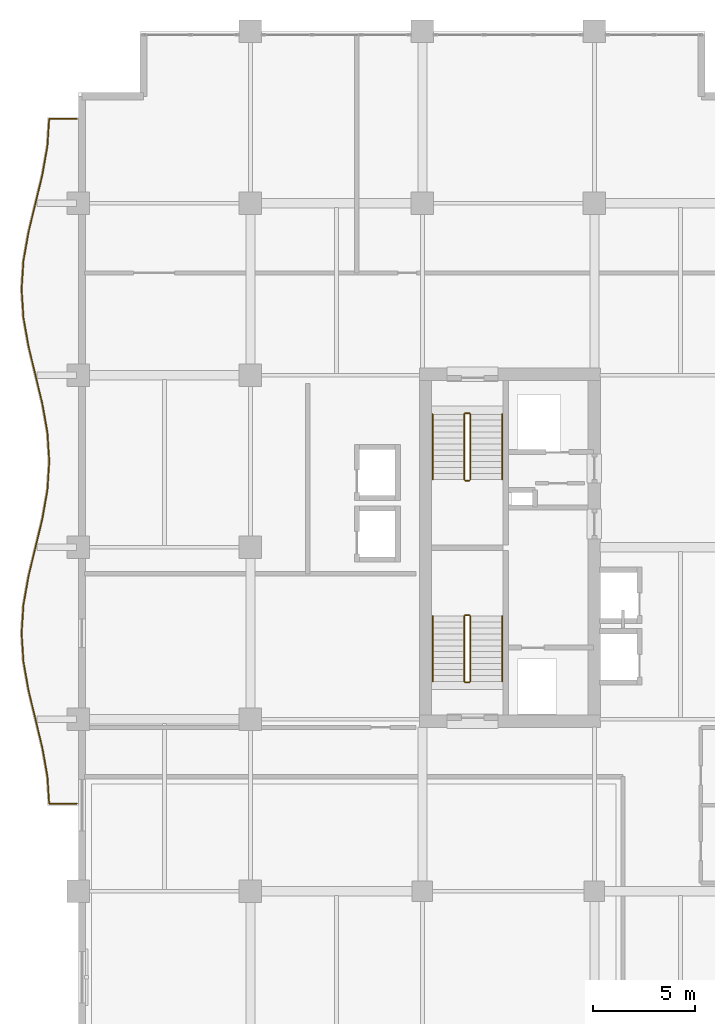
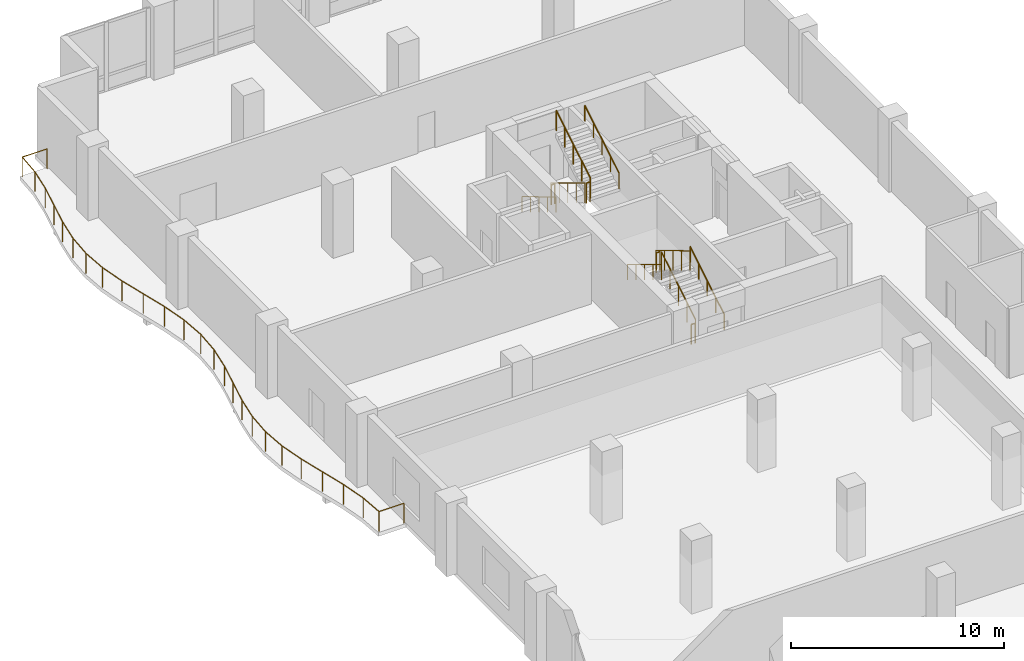
# One storey, part 21 of 22: 13 railings.
"""IFC4 building model written with IfcOpenShell, lengths in metres."""

from ifc_helpers import new_model, si_unit, direction, frame, origin, origin_2d, place, context, subcontext, project, spatial, circle, extrude, material, type_object, element, save


model = new_model("IFC4")

# Units and contexts
model_context = context("Model", 3, precision=1e-05, world=origin(), true_north=direction((0.0, 1.0)))
body_context = subcontext(model_context, "Body", "Model", "MODEL_VIEW")
ifc_project = project(units=[si_unit("LENGTHUNIT", "METRE"), si_unit("AREAUNIT", "SQUARE_METRE"), si_unit("VOLUMEUNIT", "CUBIC_METRE"), si_unit("PLANEANGLEUNIT", "RADIAN"), si_unit("MASSUNIT", "GRAM", prefix="KILO")], contexts=[model_context])

# Site, building, storey
site_placement = place(None, origin())
site = spatial("IfcSite", under=ifc_project, at=site_placement, CompositionType="ELEMENT")
building_placement = place(site_placement, origin())
building = spatial("IfcBuilding", under=site, at=building_placement, Name="Koriwani Terraces Tower", CompositionType="ELEMENT")
storey_placement = place(building_placement, frame((0.0, 0.0, 219.800048828125)))
storey = spatial("IfcBuildingStorey", under=building, at=storey_placement, Name="L54", CompositionType="ELEMENT", Elevation=219.800048828125)

# Railings
ifc_material = material(Name="Steel ASTM A572 Grade 50", Category="steel")
railing_type_1 = type_object("IfcRailingType", Name="GUARD_BALUSTRADE_1150", PredefinedType="BALUSTRADE", material=ifc_material)
railing_1_placement = place(storey_placement, frame((-0.080078125, 37.8798828125, 0.0)))
element("IfcRailing", 1, at=railing_1_placement, inside=storey, type_object=railing_type_1, Name="L54 Balcony Perimeter Safety Balustrade (W)", PredefinedType="BALUSTRADE", context=body_context, shape_type="SweptSolid", body=[
    extrude(circle(Radius=0.02392578125, at=origin_2d()), frame((0.0, 0.0, 1.1259765625), z_axis=(-1.0, 0.0, 0.0), x_axis=(0.0, -1.0, 0.0)), (0.0, 0.0, 1.0), 1.344970703125),
    extrude(circle(Radius=0.02392578125, at=origin_2d()), frame((-1.344970703125, 0.0, 1.1259765625), z_axis=(-0.064500006011, 0.997917706639, 0.0), x_axis=(-0.997917706639, -0.064500006011, 0.0)), (0.0, 0.0, 1.0), 1.332275390625),
    extrude(circle(Radius=0.02392578125, at=origin_2d()), frame((-1.430908203125, 1.32958984375, 1.1259765625), z_axis=(-0.173814583381, 0.984778396698, 0.0), x_axis=(-0.984778396698, -0.173814583381, 0.0)), (0.0, 0.0, 1.0), 1.428466796875),
    extrude(circle(Radius=0.02392578125, at=origin_2d()), frame((-1.67919921875, 2.736328125, 1.1259765625), z_axis=(-0.234289744186, 0.972166814785, 0.0), x_axis=(-0.972166814785, -0.234289744186, 0.0)), (0.0, 0.0, 1.0), 2.880126953125),
    extrude(circle(Radius=0.02392578125, at=origin_2d()), frame((-2.35400390625, 5.536376953125, 1.1259765625), z_axis=(-0.173932985997, 0.984757491153, 0.0), x_axis=(-0.984757491153, -0.173932985997, 0.0)), (0.0, 0.0, 1.0), 1.414794921875),
    extrude(circle(Radius=0.02392578125, at=origin_2d()), frame((-2.60009765625, 6.9296875, 1.1259765625), z_axis=(-0.064309099225, 0.997930027485, 0.0), x_axis=(-0.997930027485, -0.064309099225, 0.0)), (0.0, 0.0, 1.0), 1.393310546875),
    extrude(circle(Radius=0.02392578125, at=origin_2d()), frame((-2.689697265625, 8.320068359375, 1.1259765625), z_axis=(0.064309099225, 0.997930027485, 0.0), x_axis=(-0.997930027485, 0.064309099225, 0.0)), (0.0, 0.0, 1.0), 1.393310546875),
    extrude(circle(Radius=0.02392578125, at=origin_2d()), frame((-2.60009765625, 9.71044921875, 1.1259765625), z_axis=(0.173932985997, 0.984757491153, 0.0), x_axis=(-0.984757491153, 0.173932985997, 0.0)), (0.0, 0.0, 1.0), 1.414794921875),
    extrude(circle(Radius=0.02392578125, at=origin_2d()), frame((-2.35400390625, 11.103759765625, 1.1259765625), z_axis=(0.234289744186, 0.972166814785, 0.0), x_axis=(-0.972166814785, 0.234289744186, 0.0)), (0.0, 0.0, 1.0), 2.880126953125),
    extrude(circle(Radius=0.02392578125, at=origin_2d()), frame((-1.67919921875, 13.90380859375, 1.1259765625), z_axis=(0.173814583381, 0.984778396698, 0.0), x_axis=(-0.984778396698, 0.173814583381, 0.0)), (0.0, 0.0, 1.0), 1.428466796875),
    extrude(circle(Radius=0.02392578125, at=origin_2d()), frame((-1.430908203125, 15.310546875, 1.1259765625), z_axis=(0.064293443969, 0.997931036226, 0.0), x_axis=(-0.997931036226, 0.064293443969, 0.0)), (0.0, 0.0, 1.0), 1.41259765625),
    extrude(circle(Radius=0.02392578125, at=origin_2d()), frame((-1.340087890625, 16.72021484375, 1.1259765625), z_axis=(-0.064304534842, 0.997930321615, 0.0), x_axis=(-0.997930321615, -0.064304534842, 0.0)), (0.0, 0.0, 1.0), 1.412353515625),
    extrude(circle(Radius=0.02392578125, at=origin_2d()), frame((-1.430908203125, 18.129638671875, 1.1259765625), z_axis=(-0.173814583381, 0.984778396698, 0.0), x_axis=(-0.984778396698, -0.173814583381, 0.0)), (0.0, 0.0, 1.0), 1.428466796875),
    extrude(circle(Radius=0.02392578125, at=origin_2d()), frame((-1.67919921875, 19.536376953125, 1.1259765625), z_axis=(-0.234289744186, 0.972166814785, 0.0), x_axis=(-0.972166814785, -0.234289744186, 0.0)), (0.0, 0.0, 1.0), 2.880126953125),
    extrude(circle(Radius=0.02392578125, at=origin_2d()), frame((-2.35400390625, 22.33642578125, 1.1259765625), z_axis=(-0.173932985997, 0.984757491153, 0.0), x_axis=(-0.984757491153, -0.173932985997, 0.0)), (0.0, 0.0, 1.0), 1.414794921875),
    extrude(circle(Radius=0.02392578125, at=origin_2d()), frame((-2.60009765625, 23.729736328125, 1.1259765625), z_axis=(-0.064309099225, 0.997930027485, 0.0), x_axis=(-0.997930027485, -0.064309099225, 0.0)), (0.0, 0.0, 1.0), 1.393310546875),
    extrude(circle(Radius=0.02392578125, at=origin_2d()), frame((-2.689697265625, 25.1201171875, 1.1259765625), z_axis=(0.064309099225, 0.997930027485, 0.0), x_axis=(-0.997930027485, 0.064309099225, 0.0)), (0.0, 0.0, 1.0), 1.393310546875),
    extrude(circle(Radius=0.02392578125, at=origin_2d()), frame((-2.60009765625, 26.510498046875, 1.1259765625), z_axis=(0.173932985997, 0.984757491153, 0.0), x_axis=(-0.984757491153, 0.173932985997, 0.0)), (0.0, 0.0, 1.0), 1.414794921875),
    extrude(circle(Radius=0.02392578125, at=origin_2d()), frame((-2.35400390625, 27.90380859375, 1.1259765625), z_axis=(0.234289744186, 0.972166814785, 0.0), x_axis=(-0.972166814785, 0.234289744186, 0.0)), (0.0, 0.0, 1.0), 2.880126953125),
    extrude(circle(Radius=0.02392578125, at=origin_2d()), frame((-1.67919921875, 30.703857421875, 1.1259765625), z_axis=(0.173814583381, 0.984778396698, 0.0), x_axis=(-0.984778396698, 0.173814583381, 0.0)), (0.0, 0.0, 1.0), 1.428466796875),
    extrude(circle(Radius=0.02392578125, at=origin_2d()), frame((-1.430908203125, 32.110595703125, 1.1259765625), z_axis=(0.064500006011, 0.997917706639, 0.0), x_axis=(-0.997917706639, 0.064500006011, 0.0)), (0.0, 0.0, 1.0), 1.332275390625),
    extrude(circle(Radius=0.02392578125, at=origin_2d()), frame((-1.344970703125, 33.440185546875, 1.1259765625), z_axis=(1.0, 0.0, 0.0), x_axis=(0.0, 1.0, 0.0)), (0.0, 0.0, 1.0), 1.344970703125),
    extrude(circle(Radius=0.02099609375, at=origin_2d()), origin(), (0.0, 0.0, 1.0), 1.101806640625),
    extrude(circle(Radius=0.02099609375, at=origin_2d()), frame((-1.344970703125, 0.0, 0.0)), (0.0, 0.0, 1.0), 1.101806640625),
    extrude(circle(Radius=0.02099609375, at=origin_2d()), frame((-1.430908203125, 1.32958984375, 0.0)), (0.0, 0.0, 1.0), 1.101806640625),
    extrude(circle(Radius=0.02099609375, at=origin_2d()), frame((-1.67919921875, 2.736328125, 0.0)), (0.0, 0.0, 1.0), 1.101806640625),
    extrude(circle(Radius=0.02099609375, at=origin_2d()), frame((-2.0166015625, 4.13623046875, 0.0)), (0.0, 0.0, 1.0), 1.101806640625),
    extrude(circle(Radius=0.02099609375, at=origin_2d()), frame((-2.35400390625, 5.536376953125, 0.0)), (0.0, 0.0, 1.0), 1.101806640625),
    extrude(circle(Radius=0.02099609375, at=origin_2d()), frame((-2.60009765625, 6.9296875, 0.0)), (0.0, 0.0, 1.0), 1.101806640625),
    extrude(circle(Radius=0.02099609375, at=origin_2d()), frame((-2.689697265625, 8.320068359375, 0.0)), (0.0, 0.0, 1.0), 1.101806640625),
    extrude(circle(Radius=0.02099609375, at=origin_2d()), frame((-2.60009765625, 9.71044921875, 0.0)), (0.0, 0.0, 1.0), 1.101806640625),
    extrude(circle(Radius=0.02099609375, at=origin_2d()), frame((-2.35400390625, 11.103759765625, 0.0)), (0.0, 0.0, 1.0), 1.101806640625),
    extrude(circle(Radius=0.02099609375, at=origin_2d()), frame((-2.0166015625, 12.50390625, 0.0)), (0.0, 0.0, 1.0), 1.101806640625),
    extrude(circle(Radius=0.02099609375, at=origin_2d()), frame((-1.67919921875, 13.90380859375, 0.0)), (0.0, 0.0, 1.0), 1.101806640625),
    extrude(circle(Radius=0.02099609375, at=origin_2d()), frame((-1.430908203125, 15.310546875, 0.0)), (0.0, 0.0, 1.0), 1.101806640625),
    extrude(circle(Radius=0.02099609375, at=origin_2d()), frame((-1.340087890625, 16.72021484375, 0.0)), (0.0, 0.0, 1.0), 1.101806640625),
    extrude(circle(Radius=0.02099609375, at=origin_2d()), frame((-1.430908203125, 18.129638671875, 0.0)), (0.0, 0.0, 1.0), 1.101806640625),
    extrude(circle(Radius=0.02099609375, at=origin_2d()), frame((-1.67919921875, 19.536376953125, 0.0)), (0.0, 0.0, 1.0), 1.101806640625),
    extrude(circle(Radius=0.02099609375, at=origin_2d()), frame((-2.0166015625, 20.9365234375, 0.0)), (0.0, 0.0, 1.0), 1.101806640625),
    extrude(circle(Radius=0.02099609375, at=origin_2d()), frame((-2.35400390625, 22.33642578125, 0.0)), (0.0, 0.0, 1.0), 1.101806640625),
    extrude(circle(Radius=0.02099609375, at=origin_2d()), frame((-2.60009765625, 23.729736328125, 0.0)), (0.0, 0.0, 1.0), 1.101806640625),
    extrude(circle(Radius=0.02099609375, at=origin_2d()), frame((-2.689697265625, 25.1201171875, 0.0)), (0.0, 0.0, 1.0), 1.101806640625),
    extrude(circle(Radius=0.02099609375, at=origin_2d()), frame((-2.60009765625, 26.510498046875, 0.0)), (0.0, 0.0, 1.0), 1.101806640625),
    extrude(circle(Radius=0.02099609375, at=origin_2d()), frame((-2.35400390625, 27.90380859375, 0.0)), (0.0, 0.0, 1.0), 1.101806640625),
    extrude(circle(Radius=0.02099609375, at=origin_2d()), frame((-2.0166015625, 29.3037109375, 0.0)), (0.0, 0.0, 1.0), 1.101806640625),
    extrude(circle(Radius=0.02099609375, at=origin_2d()), frame((-1.67919921875, 30.703857421875, 0.0)), (0.0, 0.0, 1.0), 1.101806640625),
    extrude(circle(Radius=0.02099609375, at=origin_2d()), frame((-1.430908203125, 32.110595703125, 0.0)), (0.0, 0.0, 1.0), 1.101806640625),
    extrude(circle(Radius=0.02099609375, at=origin_2d()), frame((-1.344970703125, 33.440185546875, 0.0)), (0.0, 0.0, 1.0), 1.101806640625),
    extrude(circle(Radius=0.02099609375, at=origin_2d()), frame((0.0, 33.440185546875, 0.0)), (0.0, 0.0, 1.0), 1.101806640625),
])
railing_type_2 = type_object("IfcRailingType", Name="GUARD_STAIR_WELL_1120", PredefinedType="GUARDRAIL", material=ifc_material)
railing_2_placement = place(storey_placement, frame((19.14990234375, 43.85009765625, 0.175048828125)))
element("IfcRailing", 2, at=railing_2_placement, inside=storey, type_object=railing_type_2, Name="L54 ST-W1 stair guard 1", PredefinedType="GUARDRAIL", context=body_context, shape_type="SweptSolid", body=[
    extrude(circle(Radius=0.02392578125, at=origin_2d()), frame((0.0, 0.0, 1.1259765625), z_axis=(0.0, 0.856206652436, 0.516633495163), x_axis=(-1.0, 0.0, 0.0)), (0.0, 0.0, 1.0), 3.7255859375),
    extrude(circle(Radius=0.02099609375, at=origin_2d()), origin(), (0.0, 0.0, 1.0), 1.101806640625),
    extrude(circle(Radius=0.02099609375, at=origin_2d()), frame((0.0, 0.79736328125, 0.481201171875)), (0.0, 0.0, 1.0), 1.101806640625),
    extrude(circle(Radius=0.02099609375, at=origin_2d()), frame((0.0, 1.594970703125, 0.96240234375)), (0.0, 0.0, 1.0), 1.101806640625),
    extrude(circle(Radius=0.02099609375, at=origin_2d()), frame((0.0, 2.392578125, 1.443603515625)), (0.0, 0.0, 1.0), 1.101806640625),
    extrude(circle(Radius=0.02099609375, at=origin_2d()), frame((0.0, 3.18994140625, 1.9248046875)), (0.0, 0.0, 1.0), 1.101806640625),
])
railing_3_placement = place(storey_placement, frame((19.10009765625, 47.090087890625, 2.099853515625)))
element("IfcRailing", 3, at=railing_3_placement, inside=storey, type_object=railing_type_2, Name="L54 ST-W1 stair guard 2", PredefinedType="GUARDRAIL", context=body_context, shape_type="SweptSolid", body=[
    extrude(circle(Radius=0.02392578125, at=origin_2d()), frame((0.0, 0.0, 1.1259765625), z_axis=(-1.0, 0.0, 0.0), x_axis=(0.0, -1.0, 0.0)), (0.0, 0.0, 1.0), 0.2001953125),
    extrude(circle(Radius=0.02099609375, at=origin_2d()), origin(), (0.0, 0.0, 1.0), 1.101806640625),
    extrude(circle(Radius=0.02099609375, at=origin_2d()), frame((-0.2001953125, 0.0, 0.0)), (0.0, 0.0, 1.0), 1.101806640625),
])
railing_4_placement = place(storey_placement, frame((18.85009765625, 47.0400390625, 2.27490234375)))
element("IfcRailing", 4, at=railing_4_placement, inside=storey, type_object=railing_type_2, Name="L54 ST-W1 stair guard 3", PredefinedType="GUARDRAIL", context=body_context, shape_type="SweptSolid", body=[
    extrude(circle(Radius=0.02392578125, at=origin_2d()), frame((0.0, 0.0, 1.1259765625), z_axis=(0.0, -0.856177665481, 0.516681531633), x_axis=(1.0, 0.0, 0.0)), (0.0, 0.0, 1.0), 3.725830078125),
    extrude(circle(Radius=0.02099609375, at=origin_2d()), origin(), (0.0, 0.0, 1.0), 1.101806640625),
    extrude(circle(Radius=0.02099609375, at=origin_2d()), frame((0.0, -0.79736328125, 0.481201171875)), (0.0, 0.0, 1.0), 1.101806640625),
    extrude(circle(Radius=0.02099609375, at=origin_2d()), frame((0.0, -1.594970703125, 0.96240234375)), (0.0, 0.0, 1.0), 1.101806640625),
    extrude(circle(Radius=0.02099609375, at=origin_2d()), frame((0.0, -2.392578125, 1.44384765625)), (0.0, 0.0, 1.0), 1.101806640625),
    extrude(circle(Radius=0.02099609375, at=origin_2d()), frame((0.0, -3.18994140625, 1.925048828125)), (0.0, 0.0, 1.0), 1.101806640625),
])
railing_5_placement = place(storey_placement, frame((19.10009765625, 43.800048828125, 0.0)))
element("IfcRailing", 5, at=railing_5_placement, inside=storey, type_object=railing_type_2, Name="L54 ST-W1 stair guard 4", PredefinedType="GUARDRAIL", context=body_context, shape_type="SweptSolid", body=[
    extrude(circle(Radius=0.02392578125, at=origin_2d()), frame((0.0, 0.0, 1.1259765625), z_axis=(-1.0, 0.0, 0.0), x_axis=(0.0, -1.0, 0.0)), (0.0, 0.0, 1.0), 0.2001953125),
    extrude(circle(Radius=0.02099609375, at=origin_2d()), origin(), (0.0, 0.0, 1.0), 1.101806640625),
    extrude(circle(Radius=0.02099609375, at=origin_2d()), frame((-0.2001953125, 0.0, 0.0)), (0.0, 0.0, 1.0), 1.101806640625),
])
railing_6_placement = place(storey_placement, frame((18.85009765625, 56.89990234375, 0.175048828125)))
element("IfcRailing", 6, at=railing_6_placement, inside=storey, type_object=railing_type_2, Name="L54 ST-W2 stair guard 1", PredefinedType="GUARDRAIL", context=body_context, shape_type="SweptSolid", body=[
    extrude(circle(Radius=0.02392578125, at=origin_2d()), frame((0.0, 0.0, 1.1259765625), z_axis=(0.0, -0.856206652436, 0.516633495163), x_axis=(1.0, 0.0, 0.0)), (0.0, 0.0, 1.0), 3.7255859375),
    extrude(circle(Radius=0.02099609375, at=origin_2d()), origin(), (0.0, 0.0, 1.0), 1.101806640625),
    extrude(circle(Radius=0.02099609375, at=origin_2d()), frame((0.0, -0.79736328125, 0.481201171875)), (0.0, 0.0, 1.0), 1.101806640625),
    extrude(circle(Radius=0.02099609375, at=origin_2d()), frame((0.0, -1.594970703125, 0.96240234375)), (0.0, 0.0, 1.0), 1.101806640625),
    extrude(circle(Radius=0.02099609375, at=origin_2d()), frame((0.0, -2.392578125, 1.443603515625)), (0.0, 0.0, 1.0), 1.101806640625),
    extrude(circle(Radius=0.02099609375, at=origin_2d()), frame((0.0, -3.18994140625, 1.9248046875)), (0.0, 0.0, 1.0), 1.101806640625),
])
railing_7_placement = place(storey_placement, frame((18.89990234375, 53.659912109375, 2.099853515625)))
element("IfcRailing", 7, at=railing_7_placement, inside=storey, type_object=railing_type_2, Name="L54 ST-W2 stair guard 2", PredefinedType="GUARDRAIL", context=body_context, shape_type="SweptSolid", body=[
    extrude(circle(Radius=0.02392578125, at=origin_2d()), frame((0.0, 0.0, 1.1259765625), z_axis=(1.0, 0.0, 0.0), x_axis=(0.0, 1.0, 0.0)), (0.0, 0.0, 1.0), 0.2001953125),
    extrude(circle(Radius=0.02099609375, at=origin_2d()), origin(), (0.0, 0.0, 1.0), 1.101806640625),
    extrude(circle(Radius=0.02099609375, at=origin_2d()), frame((0.2001953125, 0.0, 0.0)), (0.0, 0.0, 1.0), 1.101806640625),
])
railing_8_placement = place(storey_placement, frame((19.14990234375, 53.7099609375, 2.27490234375)))
element("IfcRailing", 8, at=railing_8_placement, inside=storey, type_object=railing_type_2, Name="L54 ST-W2 stair guard 3", PredefinedType="GUARDRAIL", context=body_context, shape_type="SweptSolid", body=[
    extrude(circle(Radius=0.02392578125, at=origin_2d()), frame((0.0, 0.0, 1.1259765625), z_axis=(0.0, 0.856177665481, 0.516681531633), x_axis=(-1.0, 0.0, 0.0)), (0.0, 0.0, 1.0), 3.725830078125),
    extrude(circle(Radius=0.02099609375, at=origin_2d()), origin(), (0.0, 0.0, 1.0), 1.101806640625),
    extrude(circle(Radius=0.02099609375, at=origin_2d()), frame((0.0, 0.79736328125, 0.481201171875)), (0.0, 0.0, 1.0), 1.101806640625),
    extrude(circle(Radius=0.02099609375, at=origin_2d()), frame((0.0, 1.594970703125, 0.96240234375)), (0.0, 0.0, 1.0), 1.101806640625),
    extrude(circle(Radius=0.02099609375, at=origin_2d()), frame((0.0, 2.392578125, 1.44384765625)), (0.0, 0.0, 1.0), 1.101806640625),
    extrude(circle(Radius=0.02099609375, at=origin_2d()), frame((0.0, 3.18994140625, 1.925048828125)), (0.0, 0.0, 1.0), 1.101806640625),
])
railing_9_placement = place(storey_placement, frame((18.89990234375, 56.949951171875, 0.0)))
element("IfcRailing", 9, at=railing_9_placement, inside=storey, type_object=railing_type_2, Name="L54 ST-W2 stair guard 4", PredefinedType="GUARDRAIL", context=body_context, shape_type="SweptSolid", body=[
    extrude(circle(Radius=0.02392578125, at=origin_2d()), frame((0.0, 0.0, 1.1259765625), z_axis=(1.0, 0.0, 0.0), x_axis=(0.0, 1.0, 0.0)), (0.0, 0.0, 1.0), 0.2001953125),
    extrude(circle(Radius=0.02099609375, at=origin_2d()), origin(), (0.0, 0.0, 1.0), 1.101806640625),
    extrude(circle(Radius=0.02099609375, at=origin_2d()), frame((0.2001953125, 0.0, 0.0)), (0.0, 0.0, 1.0), 1.101806640625),
])
railing_type_3 = type_object("IfcRailingType", Name="HANDRAIL_STAIR_920", PredefinedType="HANDRAIL", material=ifc_material)
railing_10_placement = place(storey_placement, frame((20.699951171875, 43.85009765625, 0.175048828125)))
element("IfcRailing", 10, at=railing_10_placement, inside=storey, type_object=railing_type_3, Name="L54 ST-W1 stair handrail 1", PredefinedType="HANDRAIL", context=body_context, shape_type="SweptSolid", body=[
    extrude(circle(Radius=0.02392578125, at=origin_2d()), frame((0.0, 0.0, 0.8759765625), z_axis=(0.0, 0.856206652436, 0.516633495163), x_axis=(-1.0, 0.0, 0.0)), (0.0, 0.0, 1.0), 3.7255859375),
    extrude(circle(Radius=0.02099609375, at=origin_2d()), origin(), (0.0, 0.0, 1.0), 0.851806640625),
    extrude(circle(Radius=0.02099609375, at=origin_2d()), frame((0.0, 0.79736328125, 0.481201171875)), (0.0, 0.0, 1.0), 0.851806640625),
    extrude(circle(Radius=0.02099609375, at=origin_2d()), frame((0.0, 1.594970703125, 0.96240234375)), (0.0, 0.0, 1.0), 0.851806640625),
    extrude(circle(Radius=0.02099609375, at=origin_2d()), frame((0.0, 2.392578125, 1.443603515625)), (0.0, 0.0, 1.0), 0.851806640625),
    extrude(circle(Radius=0.02099609375, at=origin_2d()), frame((0.0, 3.18994140625, 1.9248046875)), (0.0, 0.0, 1.0), 0.851806640625),
])
railing_11_placement = place(storey_placement, frame((17.300048828125, 47.0400390625, 2.27490234375)))
element("IfcRailing", 11, at=railing_11_placement, inside=storey, type_object=railing_type_3, Name="L54 ST-W1 stair handrail 2", PredefinedType="HANDRAIL", context=body_context, shape_type="SweptSolid", body=[
    extrude(circle(Radius=0.02392578125, at=origin_2d()), frame((0.0, 0.0, 0.8759765625), z_axis=(0.0, -0.856177665481, 0.516681531633), x_axis=(1.0, 0.0, 0.0)), (0.0, 0.0, 1.0), 3.725830078125),
    extrude(circle(Radius=0.02099609375, at=origin_2d()), origin(), (0.0, 0.0, 1.0), 0.851806640625),
    extrude(circle(Radius=0.02099609375, at=origin_2d()), frame((0.0, -0.79736328125, 0.481201171875)), (0.0, 0.0, 1.0), 0.851806640625),
    extrude(circle(Radius=0.02099609375, at=origin_2d()), frame((0.0, -1.594970703125, 0.96240234375)), (0.0, 0.0, 1.0), 0.851806640625),
    extrude(circle(Radius=0.02099609375, at=origin_2d()), frame((0.0, -2.392578125, 1.44384765625)), (0.0, 0.0, 1.0), 0.851806640625),
    extrude(circle(Radius=0.02099609375, at=origin_2d()), frame((0.0, -3.18994140625, 1.925048828125)), (0.0, 0.0, 1.0), 0.851806640625),
])
railing_12_placement = place(storey_placement, frame((17.300048828125, 56.89990234375, 0.175048828125)))
element("IfcRailing", 12, at=railing_12_placement, inside=storey, type_object=railing_type_3, Name="L54 ST-W2 stair handrail 1", PredefinedType="HANDRAIL", context=body_context, shape_type="SweptSolid", body=[
    extrude(circle(Radius=0.02392578125, at=origin_2d()), frame((0.0, 0.0, 0.8759765625), z_axis=(0.0, -0.856206652436, 0.516633495163), x_axis=(1.0, 0.0, 0.0)), (0.0, 0.0, 1.0), 3.7255859375),
    extrude(circle(Radius=0.02099609375, at=origin_2d()), origin(), (0.0, 0.0, 1.0), 0.851806640625),
    extrude(circle(Radius=0.02099609375, at=origin_2d()), frame((0.0, -0.79736328125, 0.481201171875)), (0.0, 0.0, 1.0), 0.851806640625),
    extrude(circle(Radius=0.02099609375, at=origin_2d()), frame((0.0, -1.594970703125, 0.96240234375)), (0.0, 0.0, 1.0), 0.851806640625),
    extrude(circle(Radius=0.02099609375, at=origin_2d()), frame((0.0, -2.392578125, 1.443603515625)), (0.0, 0.0, 1.0), 0.851806640625),
    extrude(circle(Radius=0.02099609375, at=origin_2d()), frame((0.0, -3.18994140625, 1.9248046875)), (0.0, 0.0, 1.0), 0.851806640625),
])
railing_13_placement = place(storey_placement, frame((20.699951171875, 53.7099609375, 2.27490234375)))
element("IfcRailing", 13, at=railing_13_placement, inside=storey, type_object=railing_type_3, Name="L54 ST-W2 stair handrail 2", PredefinedType="HANDRAIL", context=body_context, shape_type="SweptSolid", body=[
    extrude(circle(Radius=0.02392578125, at=origin_2d()), frame((0.0, 0.0, 0.8759765625), z_axis=(0.0, 0.856177665481, 0.516681531633), x_axis=(-1.0, 0.0, 0.0)), (0.0, 0.0, 1.0), 3.725830078125),
    extrude(circle(Radius=0.02099609375, at=origin_2d()), origin(), (0.0, 0.0, 1.0), 0.851806640625),
    extrude(circle(Radius=0.02099609375, at=origin_2d()), frame((0.0, 0.79736328125, 0.481201171875)), (0.0, 0.0, 1.0), 0.851806640625),
    extrude(circle(Radius=0.02099609375, at=origin_2d()), frame((0.0, 1.594970703125, 0.96240234375)), (0.0, 0.0, 1.0), 0.851806640625),
    extrude(circle(Radius=0.02099609375, at=origin_2d()), frame((0.0, 2.392578125, 1.44384765625)), (0.0, 0.0, 1.0), 0.851806640625),
    extrude(circle(Radius=0.02099609375, at=origin_2d()), frame((0.0, 3.18994140625, 1.925048828125)), (0.0, 0.0, 1.0), 0.851806640625),
])

save(model, "model.ifc")
